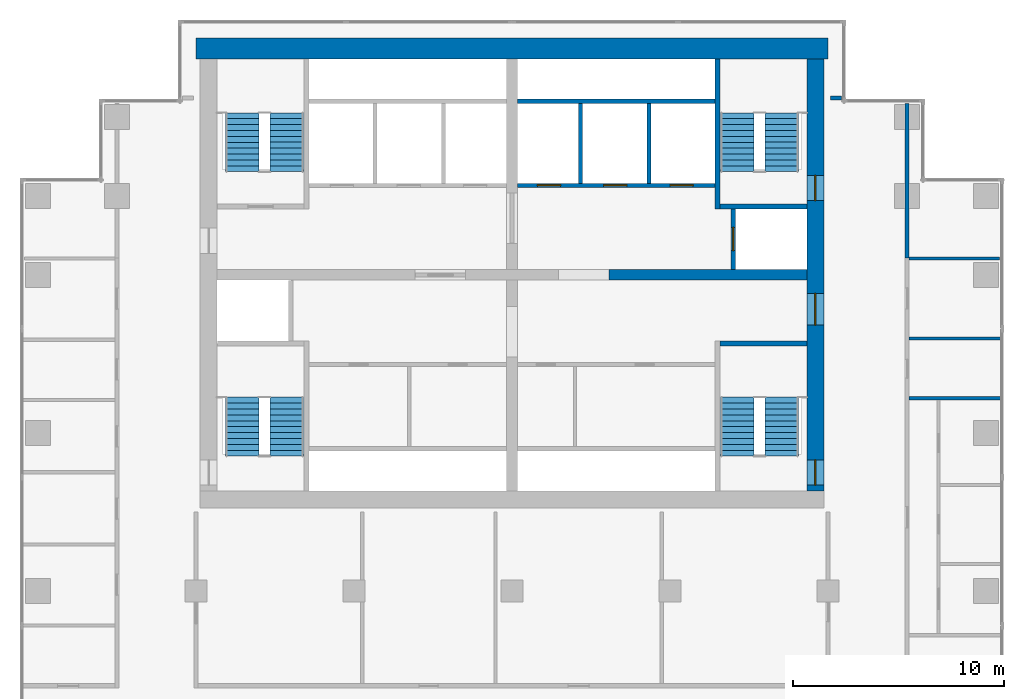
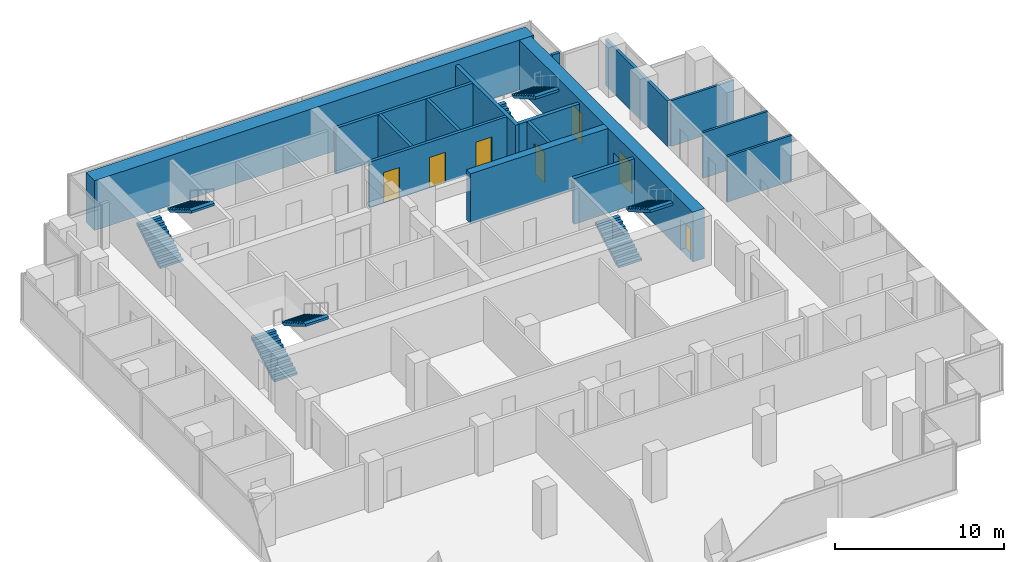
# One storey, part 9 of 10: 16 walls, 8 stair flights, 7 doors, 7 openings, 4 elements without a shape of their own.
"""IFC4 building model written with IfcOpenShell, lengths in metres."""

from ifc_helpers import new_model, si_unit, direction, frame, frame_2d, origin, place, context, subcontext, project, spatial, polyline, rectangle, outline, extrude, material, layer, layer_set, type_object, element, fill, aggregate, save


model = new_model("IFC4")

# Units and contexts
model_context = context("Model", 3, precision=1e-05, world=origin(), true_north=direction((0.0, 1.0)))
body_context = subcontext(model_context, "Body", "Model", "MODEL_VIEW")
ifc_project = project(units=[si_unit("LENGTHUNIT", "METRE"), si_unit("AREAUNIT", "SQUARE_METRE"), si_unit("VOLUMEUNIT", "CUBIC_METRE"), si_unit("PLANEANGLEUNIT", "RADIAN"), si_unit("MASSUNIT", "GRAM", prefix="KILO")], contexts=[model_context])

# Site, building, storey
site_placement = place(None, origin())
site = spatial("IfcSite", under=ifc_project, at=site_placement, CompositionType="ELEMENT")
building_placement = place(site_placement, origin())
building = spatial("IfcBuilding", under=site, at=building_placement, Name="Pilkhan Gate Tower", CompositionType="ELEMENT")
storey_placement = place(building_placement, frame((0.0, 0.0, 162.10009765625)))
storey = spatial("IfcBuildingStorey", under=building, at=storey_placement, Name="L41", CompositionType="ELEMENT", Elevation=162.10009765625)

# Wall
ifc_material_1 = material(Name="Concrete C60/75", Category="concrete")
ifc_layer_1 = layer(ifc_material_1, 1.0)
ifc_layer_set_1 = layer_set([ifc_layer_1], Name="Core wall CW1000 C60/75")
wall_type_1 = type_object("IfcWallType", Name="Core wall CW1000 C60/75", PredefinedType="SHEAR", material=ifc_layer_set_1)
wall_1_placement = place(storey_placement, frame((90.0, 93.25, 0.0), z_axis=(0.0, 0.0, 1.0), x_axis=(-1.0, 0.0, 0.0)))
element("IfcWall", 1, at=wall_1_placement, inside=storey, type_object=wall_type_1, Name="Core wall N L41", PredefinedType="SHEAR", context=body_context, shape_type="SweptSolid", body=[
    extrude(rectangle(XDim=30.0, YDim=1.0, at=frame_2d((15.0, 0.0))), origin(), (0.0, 0.0, 1.0), 3.599853515625),
])

# Wall, openings, doors
ifc_layer_2 = layer(ifc_material_1, 0.800048828125)
ifc_layer_set_2 = layer_set([ifc_layer_2], Name="Core wall CW800 C60/75")
wall_type_2 = type_object("IfcWallType", Name="Core wall CW800 C60/75", PredefinedType="SHEAR", material=ifc_layer_set_2)
wall_2_placement = place(storey_placement, frame((89.39990234375, 72.25, 0.0), z_axis=(0.0, 0.0, 1.0), x_axis=(0.0, 1.0, 0.0)))
wall_2 = element("IfcWall", 2, at=wall_2_placement, inside=storey, type_object=wall_type_2, Name="Core wall E L41", PredefinedType="SHEAR", context=body_context, shape_type="SweptSolid", body=[
    extrude(rectangle(XDim=20.5, YDim=0.800048828125, at=frame_2d((10.25, 0.0))), origin(), (0.0, 0.0, 1.0), 3.599853515625),
])
opening_1_placement = place(wall_2_placement, frame((0.27490234375, 0.0, 0.0)))
opening_1 = element("IfcOpeningElement", 3, at=opening_1_placement, cuts=wall_2, Name="Opening L41-03", PredefinedType="OPENING", context=body_context, shape_type="SweptSolid", body=[
    extrude(rectangle(XDim=1.199951171875, YDim=2.199951171875, at=frame_2d((0.60009765625, 1.10009765625))), frame((0.0, 0.409912109375, 0.0), z_axis=(0.0, -1.0, 0.0), x_axis=(1.0, 0.0, 0.0)), (0.0, 0.0, 1.0), 0.820068359375),
])
opening_2_placement = place(wall_2_placement, frame((13.77490234375, 0.0, 0.0)))
opening_2 = element("IfcOpeningElement", 4, at=opening_2_placement, cuts=wall_2, Name="Opening L41-05", PredefinedType="OPENING", context=body_context, shape_type="SweptSolid", body=[
    extrude(rectangle(XDim=1.199951171875, YDim=2.199951171875, at=frame_2d((0.60009765625, 1.10009765625))), frame((0.0, 0.409912109375, 0.0), z_axis=(0.0, -1.0, 0.0), x_axis=(1.0, 0.0, 0.0)), (0.0, 0.0, 1.0), 0.820068359375),
])
opening_3_placement = place(wall_2_placement, frame((7.875, 0.0, 0.0)))
opening_3 = element("IfcOpeningElement", 5, at=opening_3_placement, cuts=wall_2, Name="Opening L41-12", PredefinedType="OPENING", context=body_context, shape_type="SweptSolid", body=[
    extrude(rectangle(XDim=1.5, YDim=2.199951171875, at=frame_2d((0.75, 1.10009765625))), frame((0.0, 0.409912109375, 0.0), z_axis=(0.0, -1.0, 0.0), x_axis=(1.0, 0.0, 0.0)), (0.0, 0.0, 1.0), 0.820068359375),
])
ifc_material_2 = material(Name="Steel framed glazed door, 60 minute fire resisting", Category="steel")
door_type_1 = type_object("IfcDoorType", Name="Lobby door D09 1500x2200", OperationType="DOUBLE_DOOR_SINGLE_SWING", PredefinedType="DOOR", material=ifc_material_2)
door_1_placement = place(opening_3_placement, origin())
door_1 = element("IfcDoor", 6, at=door_1_placement, inside=storey, type_object=door_type_1, Name="Core door", OperationType="DOUBLE_DOOR_SINGLE_SWING", OverallHeight=2.199951171875, OverallWidth=1.5, PredefinedType="DOOR", context=body_context, shape_type="SweptSolid", body=[
    extrude(rectangle(XDim=1.5, YDim=2.199951171875, at=frame_2d((0.75, 1.10009765625))), frame((0.0, 0.02490234375, 0.0), z_axis=(0.0, -1.0, 0.0), x_axis=(1.0, 0.0, 0.0)), (0.0, 0.0, 1.0), 0.050048828125),
])
fill(opening_3, door_1)
ifc_material_3 = material(Name="Steel door, 120 minute fire resisting, panic bar", Category="steel")
door_type_2 = type_object("IfcDoorType", Name="Stair door D11 1200x2200", OperationType="SINGLE_SWING_LEFT", PredefinedType="DOOR", material=ifc_material_3)
door_2_placement = place(opening_1_placement, origin())
door_2 = element("IfcDoor", 7, at=door_2_placement, inside=storey, type_object=door_type_2, Name="Stair ST1 door", OperationType="SINGLE_SWING_LEFT", OverallHeight=2.199951171875, OverallWidth=1.199951171875, PredefinedType="DOOR", context=body_context, shape_type="SweptSolid", body=[
    extrude(rectangle(XDim=1.199951171875, YDim=2.199951171875, at=frame_2d((0.60009765625, 1.10009765625))), frame((0.0, 0.02490234375, 0.0), z_axis=(0.0, -1.0, 0.0), x_axis=(1.0, 0.0, 0.0)), (0.0, 0.0, 1.0), 0.050048828125),
])
fill(opening_1, door_2)
door_3_placement = place(opening_2_placement, origin())
door_3 = element("IfcDoor", 8, at=door_3_placement, inside=storey, type_object=door_type_2, Name="Stair ST4 door", OperationType="SINGLE_SWING_LEFT", OverallHeight=2.199951171875, OverallWidth=1.199951171875, PredefinedType="DOOR", context=body_context, shape_type="SweptSolid", body=[
    extrude(rectangle(XDim=1.199951171875, YDim=2.199951171875, at=frame_2d((0.60009765625, 1.10009765625))), frame((0.0, 0.02490234375, 0.0), z_axis=(0.0, -1.0, 0.0), x_axis=(1.0, 0.0, 0.0)), (0.0, 0.0, 1.0), 0.050048828125),
])
fill(opening_2, door_3)

# Walls
ifc_material_4 = material(Name="Dense blockwork", Category="masonry")
ifc_layer_3 = layer(ifc_material_4, 0.199951171875)
ifc_layer_set_3 = layer_set([ifc_layer_3], Name="Corridor wall FW200")
wall_type_3 = type_object("IfcWallType", Name="Corridor wall FW200", PredefinedType="PARTITIONING", material=ifc_layer_set_3)
wall_3_placement = place(storey_placement, frame((90.1201171875, 90.89990234375, 0.0), z_axis=(0.0, 0.0, 1.0), x_axis=(1.0, 0.0, 0.0)))
element("IfcWall", 9, at=wall_3_placement, inside=storey, type_object=wall_type_3, Name="Partition L41", PredefinedType="PARTITIONING", context=body_context, shape_type="SweptSolid", body=[
    extrude(rectangle(XDim=0.52490234375, YDim=0.199951171875, at=frame_2d((0.262451171875, 0.0))), origin(), (0.0, 0.0, 1.0), 3.2998046875),
])
wall_4_placement = place(storey_placement, frame((93.75, 83.31005859375, 0.0), z_axis=(0.0, 0.0, 1.0), x_axis=(0.0, 1.0, 0.0)))
element("IfcWall", 10, at=wall_4_placement, inside=storey, type_object=wall_type_3, Name="Partition L41", PredefinedType="PARTITIONING", context=body_context, shape_type="SweptSolid", body=[
    extrude(rectangle(XDim=7.3349609375, YDim=0.199951171875, at=frame_2d((3.66748046875, 0.0))), origin(), (0.0, 0.0, 1.0), 3.2998046875),
])
ifc_material_5 = material(Name="Blockwork partition, plastered both sides", Category="masonry")
ifc_layer_4 = layer(ifc_material_5, 0.14990234375)
ifc_layer_set_4 = layer_set([ifc_layer_4], Name="Partition PW150")
wall_type_4 = type_object("IfcWallType", Name="Partition PW150", PredefinedType="PARTITIONING", material=ifc_layer_set_4)
for number, where, z_axis, x_axis, name in (
    (11, (93.85009765625, 76.64990234375, 0.0), (0.0, 0.0, 1.0), (1.0, 0.0, 0.0), "Partition L41"),
    (12, (93.85009765625, 79.490966796875, 0.0), (0.0, 0.0, 1.0), (1.0, 0.0, 0.0), "Partition L41"),
):
    element("IfcWall", number, at=place(storey_placement, frame(where, z_axis=z_axis, x_axis=x_axis)), inside=storey, type_object=wall_type_4, Name=name, PredefinedType="PARTITIONING", context=body_context, shape_type="SweptSolid", body=[
        extrude(rectangle(XDim=4.414794921875, YDim=0.14990234375, at=frame_2d((2.20751953125, 0.0))), origin(), (0.0, 0.0, 1.0), 3.2998046875),
    ])
wall_5_placement = place(storey_placement, frame((93.85009765625, 83.280029296875, 0.0), z_axis=(0.0, 0.0, 1.0), x_axis=(1.0, 0.0, 0.0)))
element("IfcWall", 13, at=wall_5_placement, inside=storey, type_object=wall_type_4, Name="Partition L41", PredefinedType="PARTITIONING", context=body_context, shape_type="SweptSolid", body=[
    extrude(rectangle(XDim=4.294921875, YDim=0.14990234375, at=frame_2d((2.1474609375, 0.0))), origin(), (0.0, 0.0, 1.0), 3.2998046875),
])

# Wall, openings, doors
ifc_material_6 = material(Name="Reinforced blockwork shaft wall, 120 minute fire resisting", Category="masonry")
ifc_layer_5 = layer(ifc_material_6, 0.199951171875)
ifc_layer_set_5 = layer_set([ifc_layer_5], Name="Shaft wall SW200")
wall_type_5 = type_object("IfcWallType", Name="Shaft wall SW200", PredefinedType="PARTITIONING", material=ifc_layer_set_5)
wall_6_placement = place(storey_placement, frame((75.260009765625, 86.75, 0.0), z_axis=(0.0, 0.0, 1.0), x_axis=(1.0, 0.0, 0.0)))
wall_6 = element("IfcWall", 14, at=wall_6_placement, inside=storey, type_object=wall_type_5, Name="Partition L41", PredefinedType="PARTITIONING", context=body_context, shape_type="SweptSolid", body=[
    extrude(rectangle(XDim=9.364990234375, YDim=0.199951171875, at=frame_2d((4.6826171875, 0.0))), origin(), (0.0, 0.0, 1.0), 3.2998046875),
])
opening_4_placement = place(wall_6_placement, frame((0.949951171875, 0.0, 0.0)))
opening_4 = element("IfcOpeningElement", 15, at=opening_4_placement, cuts=wall_6, Name="Opening LD", PredefinedType="OPENING", context=body_context, shape_type="SweptSolid", body=[
    extrude(rectangle(XDim=1.10009765625, YDim=2.199951171875, at=frame_2d((0.550048828125, 1.10009765625))), frame((0.0, 0.10986328125, 0.0), z_axis=(0.0, -1.0, 0.0), x_axis=(1.0, 0.0, 0.0)), (0.0, 0.0, 1.0), 0.219970703125),
])
opening_5_placement = place(wall_6_placement, frame((4.090087890625, 0.0, 0.0)))
opening_5 = element("IfcOpeningElement", 16, at=opening_5_placement, cuts=wall_6, Name="Opening LD", PredefinedType="OPENING", context=body_context, shape_type="SweptSolid", body=[
    extrude(rectangle(XDim=1.10009765625, YDim=2.199951171875, at=frame_2d((0.550048828125, 1.10009765625))), frame((0.0, 0.10986328125, 0.0), z_axis=(0.0, -1.0, 0.0), x_axis=(1.0, 0.0, 0.0)), (0.0, 0.0, 1.0), 0.219970703125),
])
opening_6_placement = place(wall_6_placement, frame((7.239990234375, 0.0, 0.0)))
opening_6 = element("IfcOpeningElement", 17, at=opening_6_placement, cuts=wall_6, Name="Opening LD", PredefinedType="OPENING", context=body_context, shape_type="SweptSolid", body=[
    extrude(rectangle(XDim=1.10009765625, YDim=2.199951171875, at=frame_2d((0.550048828125, 1.10009765625))), frame((0.0, 0.10986328125, 0.0), z_axis=(0.0, -1.0, 0.0), x_axis=(1.0, 0.0, 0.0)), (0.0, 0.0, 1.0), 0.219970703125),
])
ifc_material_7 = material(Name="Stainless steel centre-opening landing door, 120 minute fire resisting", Category="steel")
door_type_3 = type_object("IfcDoorType", Name="Lift landing door LD 1100x2200", OperationType="DOUBLE_DOOR_SLIDING", PredefinedType="DOOR", material=ifc_material_7)
door_4_placement = place(opening_4_placement, origin())
door_4 = element("IfcDoor", 18, at=door_4_placement, inside=storey, type_object=door_type_3, Name="Landing door HR1", OperationType="DOUBLE_DOOR_SLIDING", OverallHeight=2.199951171875, OverallWidth=1.10009765625, PredefinedType="DOOR", context=body_context, shape_type="SweptSolid", body=[
    extrude(rectangle(XDim=1.10009765625, YDim=2.199951171875, at=frame_2d((0.550048828125, 1.10009765625))), frame((0.0, 0.02490234375, 0.0), z_axis=(0.0, -1.0, 0.0), x_axis=(1.0, 0.0, 0.0)), (0.0, 0.0, 1.0), 0.050048828125),
])
fill(opening_4, door_4)
door_5_placement = place(opening_5_placement, origin())
door_5 = element("IfcDoor", 19, at=door_5_placement, inside=storey, type_object=door_type_3, Name="Landing door HR2", OperationType="DOUBLE_DOOR_SLIDING", OverallHeight=2.199951171875, OverallWidth=1.10009765625, PredefinedType="DOOR", context=body_context, shape_type="SweptSolid", body=[
    extrude(rectangle(XDim=1.10009765625, YDim=2.199951171875, at=frame_2d((0.550048828125, 1.10009765625))), frame((0.0, 0.02490234375, 0.0), z_axis=(0.0, -1.0, 0.0), x_axis=(1.0, 0.0, 0.0)), (0.0, 0.0, 1.0), 0.050048828125),
])
fill(opening_5, door_5)
door_6_placement = place(opening_6_placement, origin())
door_6 = element("IfcDoor", 20, at=door_6_placement, inside=storey, type_object=door_type_3, Name="Landing door HR3", OperationType="DOUBLE_DOOR_SLIDING", OverallHeight=2.199951171875, OverallWidth=1.10009765625, PredefinedType="DOOR", context=body_context, shape_type="SweptSolid", body=[
    extrude(rectangle(XDim=1.10009765625, YDim=2.199951171875, at=frame_2d((0.550048828125, 1.10009765625))), frame((0.0, 0.02490234375, 0.0), z_axis=(0.0, -1.0, 0.0), x_axis=(1.0, 0.0, 0.0)), (0.0, 0.0, 1.0), 0.050048828125),
])
fill(opening_6, door_6)

# Walls
wall_7_placement = place(storey_placement, frame((75.260009765625, 90.75, 0.0), z_axis=(0.0, 0.0, 1.0), x_axis=(1.0, 0.0, 0.0)))
element("IfcWall", 21, at=wall_7_placement, inside=storey, type_object=wall_type_5, Name="Partition L41", PredefinedType="PARTITIONING", context=body_context, shape_type="SweptSolid", body=[
    extrude(rectangle(XDim=9.364990234375, YDim=0.199951171875, at=frame_2d((4.6826171875, 0.0))), origin(), (0.0, 0.0, 1.0), 3.2998046875),
])
for number, where, z_axis, x_axis, name in (
    (22, (78.25, 86.85009765625, 0.0), (0.0, 0.0, 1.0), (0.0, 1.0, 0.0), "Partition L41"),
    (23, (81.5, 86.85009765625, 0.0), (0.0, 0.0, 1.0), (0.0, 1.0, 0.0), "Partition L41"),
):
    element("IfcWall", number, at=place(storey_placement, frame(where, z_axis=z_axis, x_axis=x_axis)), inside=storey, type_object=wall_type_5, Name=name, PredefinedType="PARTITIONING", context=body_context, shape_type="SweptSolid", body=[
        extrude(rectangle(XDim=3.7998046875, YDim=0.199951171875, at=frame_2d((1.89990234375, 0.0))), origin(), (0.0, 0.0, 1.0), 3.2998046875),
    ])

# Wall, opening, door
wall_8_placement = place(storey_placement, frame((85.5, 82.760009765625, 0.0), z_axis=(0.0, 0.0, 1.0), x_axis=(0.0, 1.0, 0.0)))
wall_8 = element("IfcWall", 24, at=wall_8_placement, inside=storey, type_object=wall_type_5, Name="Partition L41", PredefinedType="PARTITIONING", context=body_context, shape_type="SweptSolid", body=[
    extrude(rectangle(XDim=2.864990234375, YDim=0.199951171875, at=frame_2d((1.4326171875, 0.0))), origin(), (0.0, 0.0, 1.0), 3.2998046875),
])
opening_7_placement = place(wall_8_placement, frame((0.89990234375, 0.0, 0.0)))
opening_7 = element("IfcOpeningElement", 25, at=opening_7_placement, cuts=wall_8, Name="Opening LD", PredefinedType="OPENING", context=body_context, shape_type="SweptSolid", body=[
    extrude(rectangle(XDim=1.10009765625, YDim=2.199951171875, at=frame_2d((0.550048828125, 1.10009765625))), frame((0.0, 0.10986328125, 0.0), z_axis=(0.0, -1.0, 0.0), x_axis=(1.0, 0.0, 0.0)), (0.0, 0.0, 1.0), 0.219970703125),
])
door_7_placement = place(opening_7_placement, origin())
door_7 = element("IfcDoor", 26, at=door_7_placement, inside=storey, type_object=door_type_3, Name="Landing door HR4", OperationType="DOUBLE_DOOR_SLIDING", OverallHeight=2.199951171875, OverallWidth=1.10009765625, PredefinedType="DOOR", context=body_context, shape_type="SweptSolid", body=[
    extrude(rectangle(XDim=1.10009765625, YDim=2.199951171875, at=frame_2d((0.550048828125, 1.10009765625))), frame((0.0, 0.02490234375, 0.0), z_axis=(0.0, -1.0, 0.0), x_axis=(1.0, 0.0, 0.0)), (0.0, 0.0, 1.0), 0.050048828125),
])
fill(opening_7, door_7)

# Walls
ifc_layer_6 = layer(ifc_material_1, 0.5)
ifc_layer_set_6 = layer_set([ifc_layer_6], Name="Spine wall SW500 C60/75")
wall_type_6 = type_object("IfcWallType", Name="Spine wall SW500 C60/75", PredefinedType="SHEAR", material=ifc_layer_set_6)
wall_9_placement = place(storey_placement, frame((79.60009765625, 82.5, 0.0), z_axis=(0.0, 0.0, 1.0), x_axis=(1.0, 0.0, 0.0)))
element("IfcWall", 27, at=wall_9_placement, inside=storey, type_object=wall_type_6, Name="Spine wall SP-EW3 L41", PredefinedType="SHEAR", context=body_context, shape_type="SweptSolid", body=[
    extrude(rectangle(XDim=9.39990234375, YDim=0.5, at=frame_2d((4.699951171875, 0.0))), origin(), (0.0, 0.0, 1.0), 3.599853515625),
])
ifc_material_8 = material(Name="Reinforced blockwork, 120 minute fire resisting", Category="masonry")
ifc_layer_7 = layer(ifc_material_8, 0.25)
ifc_layer_set_7 = layer_set([ifc_layer_7], Name="Stair enclosure wall SE250")
wall_type_7 = type_object("IfcWallType", Name="Stair enclosure wall SE250", PredefinedType="PARTITIONING", material=ifc_layer_set_7)
for number, where, z_axis, x_axis, name in (
    (28, (84.875, 79.25, 0.0), (0.0, 0.0, 1.0), (1.0, 0.0, 0.0), "Partition L41"),
    (29, (84.875, 85.75, 0.0), (0.0, 0.0, 1.0), (1.0, 0.0, 0.0), "Partition L41"),
):
    element("IfcWall", number, at=place(storey_placement, frame(where, z_axis=z_axis, x_axis=x_axis)), inside=storey, type_object=wall_type_7, Name=name, PredefinedType="PARTITIONING", context=body_context, shape_type="SweptSolid", body=[
        extrude(rectangle(XDim=4.125, YDim=0.25, at=frame_2d((2.0625, 0.0))), origin(), (0.0, 0.0, 1.0), 3.2998046875),
    ])
wall_10_placement = place(storey_placement, frame((84.75, 85.625, 0.0), z_axis=(0.0, 0.0, 1.0), x_axis=(0.0, 1.0, 0.0)))
element("IfcWall", 30, at=wall_10_placement, inside=storey, type_object=wall_type_7, Name="Partition L41", PredefinedType="PARTITIONING", context=body_context, shape_type="SweptSolid", body=[
    extrude(rectangle(XDim=7.114990234375, YDim=0.25, at=frame_2d((3.5576171875, 0.0))), origin(), (0.0, 0.0, 1.0), 3.2998046875),
])

# Stair, stair flights
ifc_material_9 = material(Name="Concrete C40/50 precast", Category="concrete")
stair_type_1 = type_object("IfcStairType", Name="Stair ST1 164x280", PredefinedType="HALF_TURN_STAIR", material=ifc_material_9)
stair_1_placement = place(storey_placement, origin())
stair_1 = element("IfcStair", 31, at=stair_1_placement, inside=storey, type_object=stair_type_1, Name="Stair ST1 L41", PredefinedType="HALF_TURN_STAIR")
stair_flight_type_1 = type_object("IfcStairFlightType", Name="Stair flight ST1 164x280x11", PredefinedType="STRAIGHT", material=ifc_material_9)
stair_flight_1_placement = place(storey_placement, frame((85.68994140625, 73.89990234375, 0.0), z_axis=(0.0, 0.0, 1.0), x_axis=(0.0, 1.0, 0.0)))
stair_flight_1 = element("IfcStairFlight", 32, at=stair_flight_1_placement, type_object=stair_flight_type_1, Name="ST1 flight 1", NumberOfRisers=11, NumberOfTreads=10, PredefinedType="STRAIGHT", RiserHeight=0.163636364, TreadLength=0.28, context=body_context, shape_type="SweptSolid", body=[
    extrude(outline(polyline([(0.0, 0.0), (0.0, 0.16357421875), (0.280029296875, 0.16357421875), (0.280029296875, 0.327392578125), (0.56005859375, 0.327392578125), (0.56005859375, 0.490966796875), (0.840087890625, 0.490966796875), (0.840087890625, 0.654541015625), (1.1201171875, 0.654541015625), (1.1201171875, 0.818115234375), (1.39990234375, 0.818115234375), (1.39990234375, 0.98193359375), (1.679931640625, 0.98193359375), (1.679931640625, 1.1455078125), (1.9599609375, 1.1455078125), (1.9599609375, 1.30908203125), (2.239990234375, 1.30908203125), (2.239990234375, 1.47265625), (2.52001953125, 1.47265625), (2.52001953125, 1.636474609375), (2.800048828125, 1.636474609375), (2.800048828125, 1.800048828125), (2.800048828125, 1.462646484375), (0.297119140625, 0.0), (0.0, 0.0)])), frame((0.0, 0.7900390625, 0.0), z_axis=(0.0, -1.0, 0.0), x_axis=(1.0, 0.0, 0.0)), (0.0, 0.0, 1.0), 1.580078125),
])
stair_flight_2_placement = place(storey_placement, frame((87.81005859375, 76.699951171875, 1.7998046875), z_axis=(0.0, 0.0, 1.0), x_axis=(0.0, -1.0, 0.0)))
stair_flight_2 = element("IfcStairFlight", 33, at=stair_flight_2_placement, type_object=stair_flight_type_1, Name="ST1 flight 2", NumberOfRisers=11, NumberOfTreads=10, PredefinedType="STRAIGHT", RiserHeight=0.163636364, TreadLength=0.28, context=body_context, shape_type="SweptSolid", body=[
    extrude(outline(polyline([(0.0, 0.0), (0.0, 0.16357421875), (0.280029296875, 0.16357421875), (0.280029296875, 0.327392578125), (0.56005859375, 0.327392578125), (0.56005859375, 0.490966796875), (0.840087890625, 0.490966796875), (0.840087890625, 0.654541015625), (1.1201171875, 0.654541015625), (1.1201171875, 0.818115234375), (1.39990234375, 0.818115234375), (1.39990234375, 0.98193359375), (1.679931640625, 0.98193359375), (1.679931640625, 1.1455078125), (1.9599609375, 1.1455078125), (1.9599609375, 1.30908203125), (2.239990234375, 1.30908203125), (2.239990234375, 1.47265625), (2.52001953125, 1.47265625), (2.52001953125, 1.636474609375), (2.800048828125, 1.636474609375), (2.800048828125, 1.800048828125), (2.800048828125, 1.462646484375), (0.297119140625, 0.0), (0.0, 0.0)])), frame((0.0, 0.7900390625, 0.0), z_axis=(0.0, -1.0, 0.0), x_axis=(1.0, 0.0, 0.0)), (0.0, 0.0, 1.0), 1.580078125),
])
aggregate(stair_1, [stair_flight_1, stair_flight_2])

stair_type_2 = type_object("IfcStairType", Name="Stair ST2 164x280", PredefinedType="HALF_TURN_STAIR", material=ifc_material_9)
stair_2_placement = place(storey_placement, origin())
stair_2 = element("IfcStair", 34, at=stair_2_placement, inside=storey, type_object=stair_type_2, Name="Stair ST2 L41", PredefinedType="HALF_TURN_STAIR")
stair_flight_type_2 = type_object("IfcStairFlightType", Name="Stair flight ST2 164x280x11", PredefinedType="STRAIGHT", material=ifc_material_9)
stair_flight_3_placement = place(storey_placement, frame((62.18994140625, 73.89990234375, 0.0), z_axis=(0.0, 0.0, 1.0), x_axis=(0.0, 1.0, 0.0)))
stair_flight_3 = element("IfcStairFlight", 35, at=stair_flight_3_placement, type_object=stair_flight_type_2, Name="ST2 flight 1", NumberOfRisers=11, NumberOfTreads=10, PredefinedType="STRAIGHT", RiserHeight=0.163636364, TreadLength=0.28, context=body_context, shape_type="SweptSolid", body=[
    extrude(outline(polyline([(0.0, 0.0), (0.0, 0.16357421875), (0.280029296875, 0.16357421875), (0.280029296875, 0.327392578125), (0.56005859375, 0.327392578125), (0.56005859375, 0.490966796875), (0.840087890625, 0.490966796875), (0.840087890625, 0.654541015625), (1.1201171875, 0.654541015625), (1.1201171875, 0.818115234375), (1.39990234375, 0.818115234375), (1.39990234375, 0.98193359375), (1.679931640625, 0.98193359375), (1.679931640625, 1.1455078125), (1.9599609375, 1.1455078125), (1.9599609375, 1.30908203125), (2.239990234375, 1.30908203125), (2.239990234375, 1.47265625), (2.52001953125, 1.47265625), (2.52001953125, 1.636474609375), (2.800048828125, 1.636474609375), (2.800048828125, 1.800048828125), (2.800048828125, 1.462646484375), (0.297119140625, 0.0), (0.0, 0.0)])), frame((0.0, 0.7900390625, 0.0), z_axis=(0.0, -1.0, 0.0), x_axis=(1.0, 0.0, 0.0)), (0.0, 0.0, 1.0), 1.580078125),
])
stair_flight_4_placement = place(storey_placement, frame((64.31005859375, 76.699951171875, 1.7998046875), z_axis=(0.0, 0.0, 1.0), x_axis=(0.0, -1.0, 0.0)))
stair_flight_4 = element("IfcStairFlight", 36, at=stair_flight_4_placement, type_object=stair_flight_type_2, Name="ST2 flight 2", NumberOfRisers=11, NumberOfTreads=10, PredefinedType="STRAIGHT", RiserHeight=0.163636364, TreadLength=0.28, context=body_context, shape_type="SweptSolid", body=[
    extrude(outline(polyline([(0.0, 0.0), (0.0, 0.16357421875), (0.280029296875, 0.16357421875), (0.280029296875, 0.327392578125), (0.56005859375, 0.327392578125), (0.56005859375, 0.490966796875), (0.840087890625, 0.490966796875), (0.840087890625, 0.654541015625), (1.1201171875, 0.654541015625), (1.1201171875, 0.818115234375), (1.39990234375, 0.818115234375), (1.39990234375, 0.98193359375), (1.679931640625, 0.98193359375), (1.679931640625, 1.1455078125), (1.9599609375, 1.1455078125), (1.9599609375, 1.30908203125), (2.239990234375, 1.30908203125), (2.239990234375, 1.47265625), (2.52001953125, 1.47265625), (2.52001953125, 1.636474609375), (2.800048828125, 1.636474609375), (2.800048828125, 1.800048828125), (2.800048828125, 1.462646484375), (0.297119140625, 0.0), (0.0, 0.0)])), frame((0.0, 0.7900390625, 0.0), z_axis=(0.0, -1.0, 0.0), x_axis=(1.0, 0.0, 0.0)), (0.0, 0.0, 1.0), 1.580078125),
])
aggregate(stair_2, [stair_flight_3, stair_flight_4])

stair_type_3 = type_object("IfcStairType", Name="Stair ST3 164x280", PredefinedType="HALF_TURN_STAIR", material=ifc_material_9)
stair_3_placement = place(storey_placement, origin())
stair_3 = element("IfcStair", 37, at=stair_3_placement, inside=storey, type_object=stair_type_3, Name="Stair ST3 L41", PredefinedType="HALF_TURN_STAIR")
stair_flight_type_3 = type_object("IfcStairFlightType", Name="Stair flight ST3 164x280x11", PredefinedType="STRAIGHT", material=ifc_material_9)
stair_flight_5_placement = place(storey_placement, frame((62.18994140625, 87.39990234375, 0.0), z_axis=(0.0, 0.0, 1.0), x_axis=(0.0, 1.0, 0.0)))
stair_flight_5 = element("IfcStairFlight", 38, at=stair_flight_5_placement, type_object=stair_flight_type_3, Name="ST3 flight 1", NumberOfRisers=11, NumberOfTreads=10, PredefinedType="STRAIGHT", RiserHeight=0.163636364, TreadLength=0.28, context=body_context, shape_type="SweptSolid", body=[
    extrude(outline(polyline([(0.0, 0.0), (0.0, 0.16357421875), (0.280029296875, 0.16357421875), (0.280029296875, 0.327392578125), (0.56005859375, 0.327392578125), (0.56005859375, 0.490966796875), (0.840087890625, 0.490966796875), (0.840087890625, 0.654541015625), (1.1201171875, 0.654541015625), (1.1201171875, 0.818115234375), (1.39990234375, 0.818115234375), (1.39990234375, 0.98193359375), (1.679931640625, 0.98193359375), (1.679931640625, 1.1455078125), (1.9599609375, 1.1455078125), (1.9599609375, 1.30908203125), (2.239990234375, 1.30908203125), (2.239990234375, 1.47265625), (2.52001953125, 1.47265625), (2.52001953125, 1.636474609375), (2.800048828125, 1.636474609375), (2.800048828125, 1.800048828125), (2.800048828125, 1.462646484375), (0.297119140625, 0.0), (0.0, 0.0)])), frame((0.0, 0.7900390625, 0.0), z_axis=(0.0, -1.0, 0.0), x_axis=(1.0, 0.0, 0.0)), (0.0, 0.0, 1.0), 1.580078125),
])
stair_flight_6_placement = place(storey_placement, frame((64.31005859375, 90.199951171875, 1.7998046875), z_axis=(0.0, 0.0, 1.0), x_axis=(0.0, -1.0, 0.0)))
stair_flight_6 = element("IfcStairFlight", 39, at=stair_flight_6_placement, type_object=stair_flight_type_3, Name="ST3 flight 2", NumberOfRisers=11, NumberOfTreads=10, PredefinedType="STRAIGHT", RiserHeight=0.163636364, TreadLength=0.28, context=body_context, shape_type="SweptSolid", body=[
    extrude(outline(polyline([(0.0, 0.0), (0.0, 0.16357421875), (0.280029296875, 0.16357421875), (0.280029296875, 0.327392578125), (0.56005859375, 0.327392578125), (0.56005859375, 0.490966796875), (0.840087890625, 0.490966796875), (0.840087890625, 0.654541015625), (1.1201171875, 0.654541015625), (1.1201171875, 0.818115234375), (1.39990234375, 0.818115234375), (1.39990234375, 0.98193359375), (1.679931640625, 0.98193359375), (1.679931640625, 1.1455078125), (1.9599609375, 1.1455078125), (1.9599609375, 1.30908203125), (2.239990234375, 1.30908203125), (2.239990234375, 1.47265625), (2.52001953125, 1.47265625), (2.52001953125, 1.636474609375), (2.800048828125, 1.636474609375), (2.800048828125, 1.800048828125), (2.800048828125, 1.462646484375), (0.297119140625, 0.0), (0.0, 0.0)])), frame((0.0, 0.7900390625, 0.0), z_axis=(0.0, -1.0, 0.0), x_axis=(1.0, 0.0, 0.0)), (0.0, 0.0, 1.0), 1.580078125),
])
aggregate(stair_3, [stair_flight_5, stair_flight_6])

stair_type_4 = type_object("IfcStairType", Name="Stair ST4 164x280", PredefinedType="HALF_TURN_STAIR", material=ifc_material_9)
stair_4_placement = place(storey_placement, origin())
stair_4 = element("IfcStair", 40, at=stair_4_placement, inside=storey, type_object=stair_type_4, Name="Stair ST4 L41", PredefinedType="HALF_TURN_STAIR")
stair_flight_type_4 = type_object("IfcStairFlightType", Name="Stair flight ST4 164x280x11", PredefinedType="STRAIGHT", material=ifc_material_9)
stair_flight_7_placement = place(storey_placement, frame((85.68994140625, 87.39990234375, 0.0), z_axis=(0.0, 0.0, 1.0), x_axis=(0.0, 1.0, 0.0)))
stair_flight_7 = element("IfcStairFlight", 41, at=stair_flight_7_placement, type_object=stair_flight_type_4, Name="ST4 flight 1", NumberOfRisers=11, NumberOfTreads=10, PredefinedType="STRAIGHT", RiserHeight=0.163636364, TreadLength=0.28, context=body_context, shape_type="SweptSolid", body=[
    extrude(outline(polyline([(0.0, 0.0), (0.0, 0.16357421875), (0.280029296875, 0.16357421875), (0.280029296875, 0.327392578125), (0.56005859375, 0.327392578125), (0.56005859375, 0.490966796875), (0.840087890625, 0.490966796875), (0.840087890625, 0.654541015625), (1.1201171875, 0.654541015625), (1.1201171875, 0.818115234375), (1.39990234375, 0.818115234375), (1.39990234375, 0.98193359375), (1.679931640625, 0.98193359375), (1.679931640625, 1.1455078125), (1.9599609375, 1.1455078125), (1.9599609375, 1.30908203125), (2.239990234375, 1.30908203125), (2.239990234375, 1.47265625), (2.52001953125, 1.47265625), (2.52001953125, 1.636474609375), (2.800048828125, 1.636474609375), (2.800048828125, 1.800048828125), (2.800048828125, 1.462646484375), (0.297119140625, 0.0), (0.0, 0.0)])), frame((0.0, 0.7900390625, 0.0), z_axis=(0.0, -1.0, 0.0), x_axis=(1.0, 0.0, 0.0)), (0.0, 0.0, 1.0), 1.580078125),
])
stair_flight_8_placement = place(storey_placement, frame((87.81005859375, 90.199951171875, 1.7998046875), z_axis=(0.0, 0.0, 1.0), x_axis=(0.0, -1.0, 0.0)))
stair_flight_8 = element("IfcStairFlight", 42, at=stair_flight_8_placement, type_object=stair_flight_type_4, Name="ST4 flight 2", NumberOfRisers=11, NumberOfTreads=10, PredefinedType="STRAIGHT", RiserHeight=0.163636364, TreadLength=0.28, context=body_context, shape_type="SweptSolid", body=[
    extrude(outline(polyline([(0.0, 0.0), (0.0, 0.16357421875), (0.280029296875, 0.16357421875), (0.280029296875, 0.327392578125), (0.56005859375, 0.327392578125), (0.56005859375, 0.490966796875), (0.840087890625, 0.490966796875), (0.840087890625, 0.654541015625), (1.1201171875, 0.654541015625), (1.1201171875, 0.818115234375), (1.39990234375, 0.818115234375), (1.39990234375, 0.98193359375), (1.679931640625, 0.98193359375), (1.679931640625, 1.1455078125), (1.9599609375, 1.1455078125), (1.9599609375, 1.30908203125), (2.239990234375, 1.30908203125), (2.239990234375, 1.47265625), (2.52001953125, 1.47265625), (2.52001953125, 1.636474609375), (2.800048828125, 1.636474609375), (2.800048828125, 1.800048828125), (2.800048828125, 1.462646484375), (0.297119140625, 0.0), (0.0, 0.0)])), frame((0.0, 0.7900390625, 0.0), z_axis=(0.0, -1.0, 0.0), x_axis=(1.0, 0.0, 0.0)), (0.0, 0.0, 1.0), 1.580078125),
])
aggregate(stair_4, [stair_flight_7, stair_flight_8])

save(model, "model.ifc")
